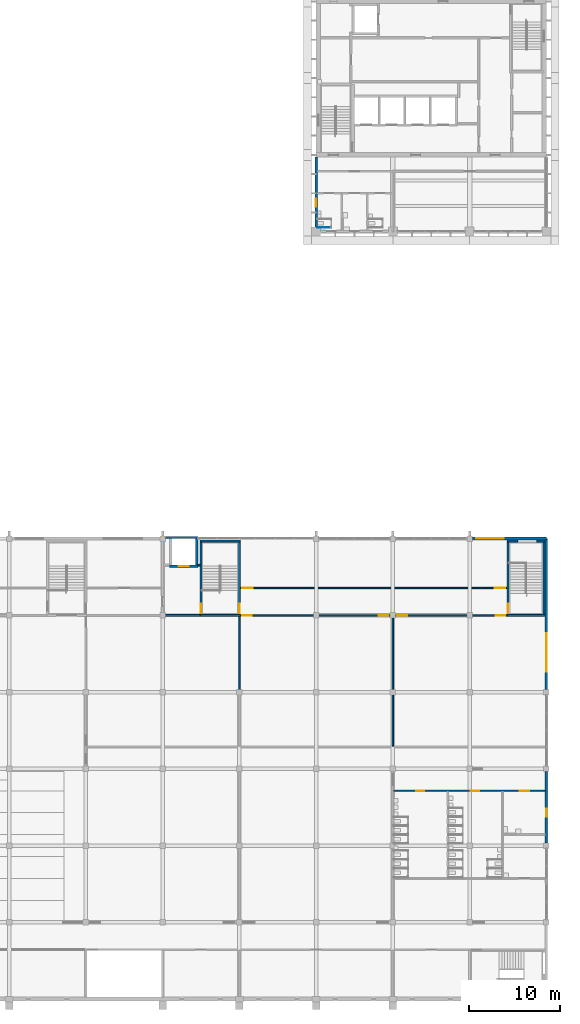
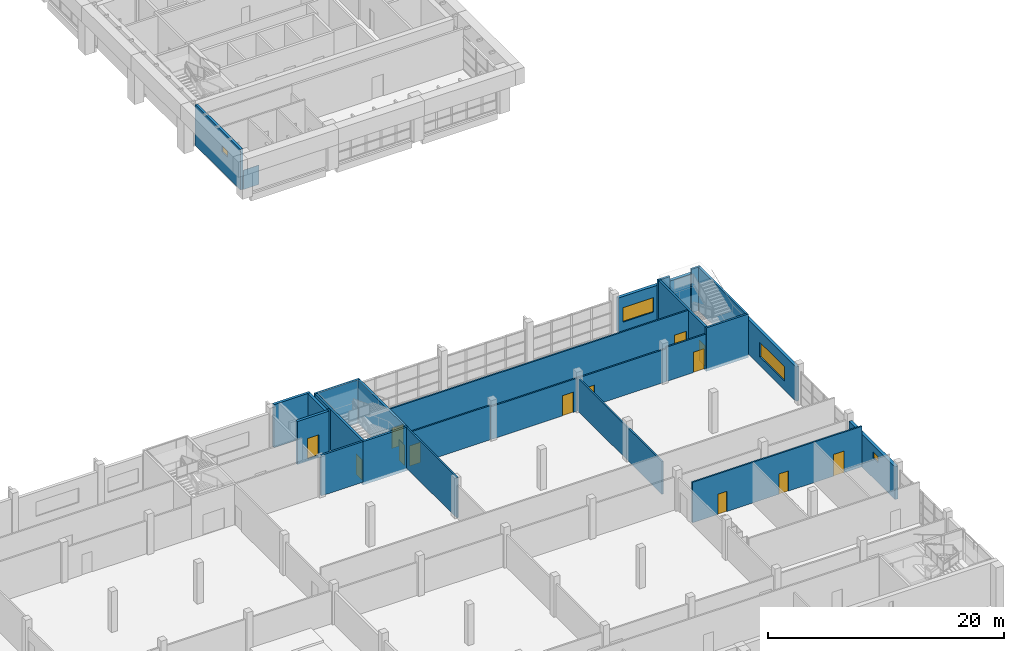
# One storey, part 28 of 56: 26 walls, 13 doors, 4 windows, 17 openings.
"""IFC4 building model written with IfcOpenShell, lengths in metres."""

from ifc_helpers import new_model, si_unit, direction, frame, frame_2d, origin, place, context, subcontext, project, spatial, rectangle, extrude, material, layer, layer_set, type_object, element, fill, save


model = new_model("IFC4")

# Units and contexts
model_context = context("Model", 3, precision=1e-05, world=origin(), true_north=direction((0.0, 1.0)))
body_context = subcontext(model_context, "Body", "Model", "MODEL_VIEW")
ifc_project = project(units=[si_unit("LENGTHUNIT", "METRE"), si_unit("AREAUNIT", "SQUARE_METRE"), si_unit("VOLUMEUNIT", "CUBIC_METRE"), si_unit("PLANEANGLEUNIT", "RADIAN"), si_unit("MASSUNIT", "GRAM", prefix="KILO")], contexts=[model_context])

# Site, building, storey
site_placement = place(None, origin())
site = spatial("IfcSite", under=ifc_project, at=site_placement, CompositionType="ELEMENT")
building_placement = place(site_placement, origin())
building = spatial("IfcBuilding", under=site, at=building_placement, Name="Rulbaag Community and Learning Centre", CompositionType="ELEMENT")
storey_placement = place(building_placement, frame((0.0, 0.0, 9.89990234375)))
storey = spatial("IfcBuildingStorey", under=building, at=storey_placement, Name="L02", CompositionType="ELEMENT", Elevation=9.89990234375)

# Wall
ifc_material_1 = material(Name="High pressure laminate", Category="wood")
ifc_layer_1 = layer(ifc_material_1, 0.0400390625)
ifc_layer_set_1 = layer_set([ifc_layer_1], Name="CP-40")
wall_type_1 = type_object("IfcWallType", Name="CP-40", PredefinedType="PARTITIONING", material=ifc_layer_set_1)
wall_1_placement = place(storey_placement, frame((142.929931640625, 84.449951171875, 0.0), z_axis=(0.0, 0.0, 1.0), x_axis=(1.0, 0.0, 0.0)))
element("IfcWall", 1, at=wall_1_placement, inside=storey, type_object=wall_type_1, Name="Cubicle partition", PredefinedType="PARTITIONING", context=body_context, shape_type="SweptSolid", body=[
    extrude(rectangle(XDim=1.5400390625, YDim=0.0400390625, at=frame_2d((0.77001953125, 0.0))), origin(), (0.0, 0.0, 1.0), 2.0),
])

# Wall, opening, window
ifc_material_2 = material(Name="Concrete M40", Category="concrete")
ifc_layer_2 = layer(ifc_material_2, 0.25)
ifc_layer_set_2 = layer_set([ifc_layer_2], Name="EW-CONC250")
wall_type_2 = type_object("IfcWallType", Name="EW-CONC250", PredefinedType="STANDARD", material=ifc_layer_set_2)
wall_2_placement = place(storey_placement, frame((142.800048828125, 84.5, 0.0), z_axis=(0.0, 0.0, 1.0), x_axis=(0.0, 1.0, 0.0)))
wall_2 = element("IfcWall", 2, at=wall_2_placement, inside=storey, type_object=wall_type_2, Name="Board-marked concrete cladding wall BW", PredefinedType="STANDARD", context=body_context, shape_type="SweptSolid", body=[
    extrude(rectangle(XDim=7.64990234375, YDim=0.25, at=frame_2d((3.824951171875, 0.0))), origin(), (0.0, 0.0, 1.0), 4.2001953125),
])
opening_1_placement = place(wall_2_placement, frame((2.199951171875, 0.0, 2.10009765625)))
opening_1 = element("IfcOpeningElement", 3, at=opening_1_placement, cuts=wall_2, Name="Opening WN5", PredefinedType="OPENING", context=body_context, shape_type="SweptSolid", body=[
    extrude(rectangle(XDim=0.89990234375, YDim=0.60009765625, at=frame_2d((0.449951171875, 0.300048828125))), frame((0.0, 0.135009765625, 0.0), z_axis=(0.0, -1.0, 0.0), x_axis=(1.0, 0.0, 0.0)), (0.0, 0.0, 1.0), 0.27001953125),
])
ifc_material_3 = material(Name="Aluminium", Category="aluminium")
window_type_1 = type_object("IfcWindowType", Name="WK-09", PartitioningType="SINGLE_PANEL", PredefinedType="WINDOW", material=ifc_material_3)
window_1_placement = place(opening_1_placement, origin())
window_1 = element("IfcWindow", 4, at=window_1_placement, inside=storey, type_object=window_type_1, Name="Window WN5", OverallHeight=0.60009765625, OverallWidth=0.89990234375, PartitioningType="SINGLE_PANEL", PredefinedType="WINDOW", context=body_context, shape_type="SweptSolid", body=[
    extrude(rectangle(XDim=0.89990234375, YDim=0.60009765625, at=frame_2d((0.449951171875, 0.300048828125))), frame((0.0, 0.030029296875, 0.0), z_axis=(0.0, -1.0, 0.0), x_axis=(1.0, 0.0, 0.0)), (0.0, 0.0, 1.0), 0.06005859375),
])
fill(opening_1, window_1)

ifc_layer_3 = layer(ifc_material_2, 0.300048828125)
ifc_layer_set_3 = layer_set([ifc_layer_3], Name="EW-CONC300")
wall_type_3 = type_object("IfcWallType", Name="EW-CONC300", PredefinedType="STANDARD", material=ifc_layer_set_3)
wall_3_placement = place(storey_placement, frame((159.89990234375, 50.39990234375, 0.0), z_axis=(0.0, 0.0, 1.0), x_axis=(1.0, 0.0, 0.0)))
wall_3 = element("IfcWall", 5, at=wall_3_placement, inside=storey, type_object=wall_type_3, Name="Board-marked concrete cladding wall AN", PredefinedType="STANDARD", context=body_context, shape_type="SweptSolid", body=[
    extrude(rectangle(XDim=8.10009765625, YDim=0.300048828125, at=frame_2d((4.050048828125, 0.0))), origin(), (0.0, 0.0, 1.0), 3.550048828125),
])
opening_2_placement = place(wall_3_placement, frame((0.449951171875, 0.0, 0.89990234375)))
opening_2 = element("IfcOpeningElement", 6, at=opening_2_placement, cuts=wall_3, Name="Opening WN3", PredefinedType="OPENING", context=body_context, shape_type="SweptSolid", body=[
    extrude(rectangle(XDim=3.0, YDim=1.5, at=frame_2d((1.5, 0.75))), frame((0.0, 0.159912109375, 0.0), z_axis=(0.0, -1.0, 0.0), x_axis=(1.0, 0.0, 0.0)), (0.0, 0.0, 1.0), 0.320068359375),
])
window_type_2 = type_object("IfcWindowType", Name="WN-30", PartitioningType="TRIPLE_PANEL_VERTICAL", PredefinedType="WINDOW", material=ifc_material_3)
window_2_placement = place(opening_2_placement, origin())
window_2 = element("IfcWindow", 7, at=window_2_placement, inside=storey, type_object=window_type_2, Name="Window WN3", OverallHeight=1.5, OverallWidth=3.0, PartitioningType="SINGLE_PANEL", PredefinedType="WINDOW", context=body_context, shape_type="SweptSolid", body=[
    extrude(rectangle(XDim=3.0, YDim=1.5, at=frame_2d((1.5, 0.75))), frame((0.0, 0.030029296875, 0.0), z_axis=(0.0, -1.0, 0.0), x_axis=(1.0, 0.0, 0.0)), (0.0, 0.0, 1.0), 0.06005859375),
])
fill(opening_2, window_2)

wall_4_placement = place(storey_placement, frame((168.0, 17.10009765625, 0.0), z_axis=(0.0, 0.0, 1.0), x_axis=(0.0, 1.0, 0.0)))
wall_4 = element("IfcWall", 8, at=wall_4_placement, inside=storey, type_object=wall_type_3, Name="Board-marked concrete cladding wall AE", PredefinedType="STANDARD", context=body_context, shape_type="SweptSolid", body=[
    extrude(rectangle(XDim=7.7998046875, YDim=0.300048828125, at=frame_2d((3.89990234375, 0.0))), origin(), (0.0, 0.0, 1.0), 3.400146484375),
])
opening_3_placement = place(wall_4_placement, frame((2.85009765625, 0.0, 2.10009765625)))
opening_3 = element("IfcOpeningElement", 9, at=opening_3_placement, cuts=wall_4, Name="Opening WN5", PredefinedType="OPENING", context=body_context, shape_type="SweptSolid", body=[
    extrude(rectangle(XDim=0.89990234375, YDim=0.60009765625, at=frame_2d((0.449951171875, 0.300048828125))), frame((0.0, 0.159912109375, 0.0), z_axis=(0.0, -1.0, 0.0), x_axis=(1.0, 0.0, 0.0)), (0.0, 0.0, 1.0), 0.320068359375),
])
window_3_placement = place(opening_3_placement, origin())
window_3 = element("IfcWindow", 10, at=window_3_placement, inside=storey, type_object=window_type_1, Name="Window WN5", OverallHeight=0.60009765625, OverallWidth=0.89990234375, PartitioningType="SINGLE_PANEL", PredefinedType="WINDOW", context=body_context, shape_type="SweptSolid", body=[
    extrude(rectangle(XDim=0.89990234375, YDim=0.60009765625, at=frame_2d((0.449951171875, 0.300048828125))), frame((0.0, 0.030029296875, 0.0), z_axis=(0.0, -1.0, 0.0), x_axis=(1.0, 0.0, 0.0)), (0.0, 0.0, 1.0), 0.06005859375),
])
fill(opening_3, window_3)

wall_5_placement = place(storey_placement, frame((168.0, 33.89990234375, 0.0), z_axis=(0.0, 0.0, 1.0), x_axis=(0.0, 1.0, 0.0)))
wall_5 = element("IfcWall", 11, at=wall_5_placement, inside=storey, type_object=wall_type_3, Name="Board-marked concrete cladding wall AE", PredefinedType="STANDARD", context=body_context, shape_type="SweptSolid", body=[
    extrude(rectangle(XDim=16.5, YDim=0.300048828125, at=frame_2d((8.25, 0.0))), origin(), (0.0, 0.0, 1.0), 3.550048828125),
])
opening_4_placement = place(wall_5_placement, frame((1.949951171875, 0.0, 0.89990234375)))
opening_4 = element("IfcOpeningElement", 12, at=opening_4_placement, cuts=wall_5, Name="Opening WN4", PredefinedType="OPENING", context=body_context, shape_type="SweptSolid", body=[
    extrude(rectangle(XDim=4.199951171875, YDim=1.5, at=frame_2d((2.10009765625, 0.75))), frame((0.0, 0.159912109375, 0.0), z_axis=(0.0, -1.0, 0.0), x_axis=(1.0, 0.0, 0.0)), (0.0, 0.0, 1.0), 0.320068359375),
])
window_type_3 = type_object("IfcWindowType", Name="WN-42", PartitioningType="TRIPLE_PANEL_VERTICAL", PredefinedType="WINDOW", material=ifc_material_3)
window_4_placement = place(opening_4_placement, origin())
window_4 = element("IfcWindow", 13, at=window_4_placement, inside=storey, type_object=window_type_3, Name="Window WN4", OverallHeight=1.5, OverallWidth=4.199951171875, PartitioningType="SINGLE_PANEL", PredefinedType="WINDOW", context=body_context, shape_type="SweptSolid", body=[
    extrude(rectangle(XDim=4.199951171875, YDim=1.5, at=frame_2d((2.10009765625, 0.75))), frame((0.0, 0.030029296875, 0.0), z_axis=(0.0, -1.0, 0.0), x_axis=(1.0, 0.0, 0.0)), (0.0, 0.0, 1.0), 0.06005859375),
])
fill(opening_4, window_4)

# Walls
ifc_material_4 = material(Name="Concrete blockwork", Category="masonry")
ifc_layer_4 = layer(ifc_material_4, 0.199951171875)
ifc_layer_set_4 = layer_set([ifc_layer_4], Name="FW-200 FIRE WALL 200")
wall_type_4 = type_object("IfcWallType", Name="FW-200 FIRE WALL 200", PredefinedType="SOLIDWALL", material=ifc_layer_set_4)
wall_6_placement = place(storey_placement, frame((126.0, 42.0, 0.0), z_axis=(0.0, 0.0, 1.0), x_axis=(1.0, 0.0, 0.0)))
element("IfcWall", 14, at=wall_6_placement, inside=storey, type_object=wall_type_4, Name="Fire wall L02 28", PredefinedType="SOLIDWALL", context=body_context, shape_type="SweptSolid", body=[
    extrude(rectangle(XDim=4.10009765625, YDim=0.199951171875, at=frame_2d((2.050048828125, 0.0))), origin(), (0.0, 0.0, 1.0), 4.2001953125),
])
wall_7_placement = place(storey_placement, frame((129.85009765625, 47.5, 0.0), z_axis=(0.0, 0.0, 1.0), x_axis=(1.0, 0.0, 0.0)))
element("IfcWall", 15, at=wall_7_placement, inside=storey, type_object=wall_type_4, Name="Fire wall L02 37", PredefinedType="SOLIDWALL", context=body_context, shape_type="SweptSolid", body=[
    extrude(rectangle(XDim=0.25, YDim=0.199951171875, at=frame_2d((0.125, 0.0))), origin(), (0.0, 0.0, 1.0), 4.2001953125),
])

# Wall, openings, doors
ifc_layer_5 = layer(ifc_material_4, 0.14990234375)
ifc_layer_set_5 = layer_set([ifc_layer_5], Name="IP-150 PARTITION 150")
wall_type_5 = type_object("IfcWallType", Name="IP-150 PARTITION 150", PredefinedType="PARTITIONING", material=ifc_layer_set_5)
wall_8_placement = place(storey_placement, frame((151.27490234375, 22.800048828125, 0.0), z_axis=(0.0, 0.0, 1.0), x_axis=(1.0, 0.0, 0.0)))
wall_8 = element("IfcWall", 16, at=wall_8_placement, inside=storey, type_object=wall_type_5, Name="Partition L02 16", PredefinedType="PARTITIONING", context=body_context, shape_type="SweptSolid", body=[
    extrude(rectangle(XDim=16.5751953125, YDim=0.14990234375, at=frame_2d((8.28759765625, 0.0))), origin(), (0.0, 0.0, 1.0), 4.2001953125),
])
opening_5_placement = place(wall_8_placement, frame((2.47509765625, 0.0, 0.0)))
opening_5 = element("IfcOpeningElement", 17, at=opening_5_placement, cuts=wall_8, Name="Opening L02-D105", PredefinedType="OPENING", context=body_context, shape_type="SweptSolid", body=[
    extrude(rectangle(XDim=0.89990234375, YDim=2.10009765625, at=frame_2d((0.449951171875, 1.050048828125))), frame((0.0, 0.0849609375, 0.0), z_axis=(0.0, -1.0, 0.0), x_axis=(1.0, 0.0, 0.0)), (0.0, 0.0, 1.0), 0.169921875),
])
opening_6_placement = place(wall_8_placement, frame((8.47509765625, 0.0, 0.0)))
opening_6 = element("IfcOpeningElement", 18, at=opening_6_placement, cuts=wall_8, Name="Opening L02-D119", PredefinedType="OPENING", context=body_context, shape_type="SweptSolid", body=[
    extrude(rectangle(XDim=0.89990234375, YDim=2.10009765625, at=frame_2d((0.449951171875, 1.050048828125))), frame((0.0, 0.0849609375, 0.0), z_axis=(0.0, -1.0, 0.0), x_axis=(1.0, 0.0, 0.0)), (0.0, 0.0, 1.0), 0.169921875),
])
opening_7_placement = place(wall_8_placement, frame((13.800048828125, 0.0, 0.0)))
opening_7 = element("IfcOpeningElement", 19, at=opening_7_placement, cuts=wall_8, Name="Opening L02-D137", PredefinedType="OPENING", context=body_context, shape_type="SweptSolid", body=[
    extrude(rectangle(XDim=1.050048828125, YDim=2.25, at=frame_2d((0.52490234375, 1.125))), frame((0.0, 0.0849609375, 0.0), z_axis=(0.0, -1.0, 0.0), x_axis=(1.0, 0.0, 0.0)), (0.0, 0.0, 1.0), 0.169921875),
])
ifc_material_5 = material(Name="Timber", Category="wood")
door_type_1 = type_object("IfcDoorType", Name="D-1050 ACCESSIBLE TOILET DOOR 1050 x 2250", OperationType="SINGLE_SWING_LEFT", PredefinedType="DOOR", material=ifc_material_5)
door_1_placement = place(opening_7_placement, origin())
door_1 = element("IfcDoor", 20, at=door_1_placement, inside=storey, type_object=door_type_1, Name="Door L02-D137", OperationType="SINGLE_SWING_RIGHT", OverallHeight=2.25, OverallWidth=1.050048828125, PredefinedType="DOOR", context=body_context, shape_type="SweptSolid", body=[
    extrude(rectangle(XDim=1.050048828125, YDim=2.25, at=frame_2d((0.52490234375, 1.125))), frame((0.0, 0.02490234375, 0.0), z_axis=(0.0, -1.0, 0.0), x_axis=(1.0, 0.0, 0.0)), (0.0, 0.0, 1.0), 0.050048828125),
])
fill(opening_7, door_1)
door_type_2 = type_object("IfcDoorType", Name="DW-900 TOILET DOOR 900 x 2100", OperationType="SINGLE_SWING_LEFT", PredefinedType="DOOR", material=ifc_material_5)
door_2_placement = place(opening_5_placement, origin())
door_2 = element("IfcDoor", 21, at=door_2_placement, inside=storey, type_object=door_type_2, Name="Door L02-D105", OperationType="SINGLE_SWING_LEFT", OverallHeight=2.10009765625, OverallWidth=0.89990234375, PredefinedType="DOOR", context=body_context, shape_type="SweptSolid", body=[
    extrude(rectangle(XDim=0.89990234375, YDim=2.10009765625, at=frame_2d((0.449951171875, 1.050048828125))), frame((0.0, 0.02490234375, 0.0), z_axis=(0.0, -1.0, 0.0), x_axis=(1.0, 0.0, 0.0)), (0.0, 0.0, 1.0), 0.050048828125),
])
fill(opening_5, door_2)
door_3_placement = place(opening_6_placement, origin())
door_3 = element("IfcDoor", 22, at=door_3_placement, inside=storey, type_object=door_type_2, Name="Door L02-D119", OperationType="SINGLE_SWING_RIGHT", OverallHeight=2.10009765625, OverallWidth=0.89990234375, PredefinedType="DOOR", context=body_context, shape_type="SweptSolid", body=[
    extrude(rectangle(XDim=0.89990234375, YDim=2.10009765625, at=frame_2d((0.449951171875, 1.050048828125))), frame((0.0, 0.02490234375, 0.0), z_axis=(0.0, -1.0, 0.0), x_axis=(1.0, 0.0, 0.0)), (0.0, 0.0, 1.0), 0.050048828125),
])
fill(opening_6, door_3)

# Wall, opening, door
wall_9_placement = place(storey_placement, frame((134.5, 42.0, 0.0), z_axis=(0.0, 0.0, 1.0), x_axis=(1.0, 0.0, 0.0)))
wall_9 = element("IfcWall", 23, at=wall_9_placement, inside=storey, type_object=wall_type_5, Name="Partition L02 29", PredefinedType="PARTITIONING", context=body_context, shape_type="SweptSolid", body=[
    extrude(rectangle(XDim=8.10009765625, YDim=0.14990234375, at=frame_2d((4.050048828125, 0.0))), origin(), (0.0, 0.0, 1.0), 3.550048828125),
])
opening_8_placement = place(wall_9_placement, frame((0.199951171875, 0.0, 0.0)))
opening_8 = element("IfcOpeningElement", 24, at=opening_8_placement, cuts=wall_9, Name="Opening L02-D075", PredefinedType="OPENING", context=body_context, shape_type="SweptSolid", body=[
    extrude(rectangle(XDim=1.050048828125, YDim=2.10009765625, at=frame_2d((0.52490234375, 1.050048828125))), frame((0.0, 0.0849609375, 0.0), z_axis=(0.0, -1.0, 0.0), x_axis=(1.0, 0.0, 0.0)), (0.0, 0.0, 1.0), 0.169921875),
])
door_type_3 = type_object("IfcDoorType", Name="D-1050 GLAZED MEETING ROOM DOOR 1050 x 2100", OperationType="SINGLE_SWING_LEFT", PredefinedType="DOOR", material=ifc_material_5)
door_4_placement = place(opening_8_placement, origin())
door_4 = element("IfcDoor", 25, at=door_4_placement, inside=storey, type_object=door_type_3, Name="Door L02-D075", OperationType="SINGLE_SWING_RIGHT", OverallHeight=2.10009765625, OverallWidth=1.050048828125, PredefinedType="DOOR", context=body_context, shape_type="SweptSolid", body=[
    extrude(rectangle(XDim=1.050048828125, YDim=2.10009765625, at=frame_2d((0.52490234375, 1.050048828125))), frame((0.0, 0.02490234375, 0.0), z_axis=(0.0, -1.0, 0.0), x_axis=(1.0, 0.0, 0.0)), (0.0, 0.0, 1.0), 0.050048828125),
])
fill(opening_8, door_4)

# Wall, openings, doors
wall_10_placement = place(storey_placement, frame((142.60009765625, 42.0, 0.0), z_axis=(0.0, 0.0, 1.0), x_axis=(1.0, 0.0, 0.0)))
wall_10 = element("IfcWall", 26, at=wall_10_placement, inside=storey, type_object=wall_type_5, Name="Partition L02 29.2", PredefinedType="PARTITIONING", context=body_context, shape_type="SweptSolid", body=[
    extrude(rectangle(XDim=17.199951171875, YDim=0.14990234375, at=frame_2d((8.60009765625, 0.0))), origin(), (0.0, 0.0, 1.0), 3.400146484375),
])
opening_9_placement = place(wall_10_placement, frame((7.050048828125, 0.0, 0.0)))
opening_9 = element("IfcOpeningElement", 27, at=opening_9_placement, cuts=wall_10, Name="Opening L02-D093", PredefinedType="OPENING", context=body_context, shape_type="SweptSolid", body=[
    extrude(rectangle(XDim=1.050048828125, YDim=2.10009765625, at=frame_2d((0.52490234375, 1.050048828125))), frame((0.0, 0.0849609375, 0.0), z_axis=(0.0, -1.0, 0.0), x_axis=(1.0, 0.0, 0.0)), (0.0, 0.0, 1.0), 0.169921875),
])
opening_10_placement = place(wall_10_placement, frame((9.10009765625, 0.0, 0.0)))
opening_10 = element("IfcOpeningElement", 28, at=opening_10_placement, cuts=wall_10, Name="Opening L02-D096", PredefinedType="OPENING", context=body_context, shape_type="SweptSolid", body=[
    extrude(rectangle(XDim=1.050048828125, YDim=2.10009765625, at=frame_2d((0.52490234375, 1.050048828125))), frame((0.0, 0.0849609375, 0.0), z_axis=(0.0, -1.0, 0.0), x_axis=(1.0, 0.0, 0.0)), (0.0, 0.0, 1.0), 0.169921875),
])
door_5_placement = place(opening_9_placement, origin())
door_5 = element("IfcDoor", 29, at=door_5_placement, inside=storey, type_object=door_type_3, Name="Door L02-D093", OperationType="SINGLE_SWING_LEFT", OverallHeight=2.10009765625, OverallWidth=1.050048828125, PredefinedType="DOOR", context=body_context, shape_type="SweptSolid", body=[
    extrude(rectangle(XDim=1.050048828125, YDim=2.10009765625, at=frame_2d((0.52490234375, 1.050048828125))), frame((0.0, 0.02490234375, 0.0), z_axis=(0.0, -1.0, 0.0), x_axis=(1.0, 0.0, 0.0)), (0.0, 0.0, 1.0), 0.050048828125),
])
fill(opening_9, door_5)
door_6_placement = place(opening_10_placement, origin())
door_6 = element("IfcDoor", 30, at=door_6_placement, inside=storey, type_object=door_type_3, Name="Door L02-D096", OperationType="SINGLE_SWING_LEFT", OverallHeight=2.10009765625, OverallWidth=1.050048828125, PredefinedType="DOOR", context=body_context, shape_type="SweptSolid", body=[
    extrude(rectangle(XDim=1.050048828125, YDim=2.10009765625, at=frame_2d((0.52490234375, 1.050048828125))), frame((0.0, 0.02490234375, 0.0), z_axis=(0.0, -1.0, 0.0), x_axis=(1.0, 0.0, 0.0)), (0.0, 0.0, 1.0), 0.050048828125),
])
fill(opening_10, door_6)

# Wall, opening, door
wall_11_placement = place(storey_placement, frame((159.800048828125, 42.0, 0.0), z_axis=(0.0, 0.0, 1.0), x_axis=(1.0, 0.0, 0.0)))
wall_11 = element("IfcWall", 31, at=wall_11_placement, inside=storey, type_object=wall_type_5, Name="Partition L02 29.3", PredefinedType="PARTITIONING", context=body_context, shape_type="SweptSolid", body=[
    extrude(rectangle(XDim=3.89990234375, YDim=0.14990234375, at=frame_2d((1.949951171875, 0.0))), origin(), (0.0, 0.0, 1.0), 3.550048828125),
])
opening_11_placement = place(wall_11_placement, frame((2.64990234375, 0.0, 0.0)))
opening_11 = element("IfcOpeningElement", 32, at=opening_11_placement, cuts=wall_11, Name="Opening L02-D130", PredefinedType="OPENING", context=body_context, shape_type="SweptSolid", body=[
    extrude(rectangle(XDim=1.050048828125, YDim=2.10009765625, at=frame_2d((0.52490234375, 1.050048828125))), frame((0.0, 0.0849609375, 0.0), z_axis=(0.0, -1.0, 0.0), x_axis=(1.0, 0.0, 0.0)), (0.0, 0.0, 1.0), 0.169921875),
])
door_7_placement = place(opening_11_placement, origin())
door_7 = element("IfcDoor", 33, at=door_7_placement, inside=storey, type_object=door_type_3, Name="Door L02-D130", OperationType="SINGLE_SWING_LEFT", OverallHeight=2.10009765625, OverallWidth=1.050048828125, PredefinedType="DOOR", context=body_context, shape_type="SweptSolid", body=[
    extrude(rectangle(XDim=1.050048828125, YDim=2.10009765625, at=frame_2d((0.52490234375, 1.050048828125))), frame((0.0, 0.02490234375, 0.0), z_axis=(0.0, -1.0, 0.0), x_axis=(1.0, 0.0, 0.0)), (0.0, 0.0, 1.0), 0.050048828125),
])
fill(opening_11, door_7)

# Wall, openings, doors
wall_12_placement = place(storey_placement, frame((134.5, 45.0, 0.0), z_axis=(0.0, 0.0, 1.0), x_axis=(1.0, 0.0, 0.0)))
wall_12 = element("IfcWall", 34, at=wall_12_placement, inside=storey, type_object=wall_type_5, Name="Partition L02 35", PredefinedType="PARTITIONING", context=body_context, shape_type="SweptSolid", body=[
    extrude(rectangle(XDim=29.199951171875, YDim=0.14990234375, at=frame_2d((14.60009765625, 0.0))), origin(), (0.0, 0.0, 1.0), 4.2001953125),
])
opening_12_placement = place(wall_12_placement, frame((0.199951171875, 0.0, 0.0)))
opening_12 = element("IfcOpeningElement", 35, at=opening_12_placement, cuts=wall_12, Name="Opening L02-D076", PredefinedType="OPENING", context=body_context, shape_type="SweptSolid", body=[
    extrude(rectangle(XDim=1.14990234375, YDim=2.10009765625, at=frame_2d((0.574951171875, 1.050048828125))), frame((0.0, 0.0849609375, 0.0), z_axis=(0.0, -1.0, 0.0), x_axis=(1.0, 0.0, 0.0)), (0.0, 0.0, 1.0), 0.169921875),
])
opening_13_placement = place(wall_12_placement, frame((27.85009765625, 0.0, 0.0)))
opening_13 = element("IfcOpeningElement", 36, at=opening_13_placement, cuts=wall_12, Name="Opening L02-D129", PredefinedType="OPENING", context=body_context, shape_type="SweptSolid", body=[
    extrude(rectangle(XDim=1.14990234375, YDim=2.10009765625, at=frame_2d((0.574951171875, 1.050048828125))), frame((0.0, 0.0849609375, 0.0), z_axis=(0.0, -1.0, 0.0), x_axis=(1.0, 0.0, 0.0)), (0.0, 0.0, 1.0), 0.169921875),
])
door_type_4 = type_object("IfcDoorType", Name="D-1150 YOUTH ROOM DOOR 1150 x 2100", OperationType="SINGLE_SWING_LEFT", PredefinedType="DOOR", material=ifc_material_5)
door_8_placement = place(opening_12_placement, origin())
door_8 = element("IfcDoor", 37, at=door_8_placement, inside=storey, type_object=door_type_4, Name="Door L02-D076", OperationType="SINGLE_SWING_LEFT", OverallHeight=2.10009765625, OverallWidth=1.14990234375, PredefinedType="DOOR", context=body_context, shape_type="SweptSolid", body=[
    extrude(rectangle(XDim=1.14990234375, YDim=2.10009765625, at=frame_2d((0.574951171875, 1.050048828125))), frame((0.0, 0.02490234375, 0.0), z_axis=(0.0, -1.0, 0.0), x_axis=(1.0, 0.0, 0.0)), (0.0, 0.0, 1.0), 0.050048828125),
])
fill(opening_12, door_8)
door_9_placement = place(opening_13_placement, origin())
door_9 = element("IfcDoor", 38, at=door_9_placement, inside=storey, type_object=door_type_4, Name="Door L02-D129", OperationType="SINGLE_SWING_RIGHT", OverallHeight=2.10009765625, OverallWidth=1.14990234375, PredefinedType="DOOR", context=body_context, shape_type="SweptSolid", body=[
    extrude(rectangle(XDim=1.14990234375, YDim=2.10009765625, at=frame_2d((0.574951171875, 1.050048828125))), frame((0.0, 0.02490234375, 0.0), z_axis=(0.0, -1.0, 0.0), x_axis=(1.0, 0.0, 0.0)), (0.0, 0.0, 1.0), 0.050048828125),
])
fill(opening_13, door_9)

# Walls
wall_13_placement = place(storey_placement, frame((134.39990234375, 33.320068359375, 0.0), z_axis=(0.0, 0.0, 1.0), x_axis=(0.0, 1.0, 0.0)))
element("IfcWall", 39, at=wall_13_placement, inside=storey, type_object=wall_type_5, Name="Partition L02 70.2", PredefinedType="PARTITIONING", context=body_context, shape_type="SweptSolid", body=[
    extrude(rectangle(XDim=8.780029296875, YDim=0.14990234375, at=frame_2d((4.39013671875, 0.0))), origin(), (0.0, 0.0, 1.0), 4.2001953125),
])
wall_14_placement = place(storey_placement, frame((151.199951171875, 27.675048828125, 0.0), z_axis=(0.0, 0.0, 1.0), x_axis=(0.0, 1.0, 0.0)))
element("IfcWall", 40, at=wall_14_placement, inside=storey, type_object=wall_type_5, Name="Partition L02 79", PredefinedType="PARTITIONING", context=body_context, shape_type="SweptSolid", body=[
    extrude(rectangle(XDim=14.25, YDim=0.14990234375, at=frame_2d((7.125, 0.0))), origin(), (0.0, 0.0, 1.0), 3.400146484375),
])

# Wall, opening, door
ifc_layer_6 = layer(ifc_material_2, 0.25)
ifc_layer_set_6 = layer_set([ifc_layer_6], Name="W8 Lift shaft wall 250 Concrete M40")
wall_type_6 = type_object("IfcWallType", Name="W8 Lift shaft wall 250 Concrete M40", PredefinedType="SHEAR", material=ifc_layer_set_6)
wall_15_placement = place(storey_placement, frame((126.75, 47.375, -0.25), z_axis=(0.0, 0.0, 1.0), x_axis=(1.0, 0.0, 0.0)))
wall_15 = element("IfcWall", 41, at=wall_15_placement, inside=storey, type_object=wall_type_6, Name="WL-LH3-S-L02", PredefinedType="SHEAR", context=body_context, shape_type="SweptSolid", body=[
    extrude(rectangle(XDim=3.10009765625, YDim=0.25, at=frame_2d((1.550048828125, 0.0))), origin(), (0.0, 0.0, 1.0), 4.4501953125),
])
opening_14_placement = place(wall_15_placement, frame((1.0, 0.0, 0.25)))
opening_14 = element("IfcOpeningElement", 42, at=opening_14_placement, cuts=wall_15, Name="Opening L02-D070", PredefinedType="OPENING", context=body_context, shape_type="SweptSolid", body=[
    extrude(rectangle(XDim=1.10009765625, YDim=2.10009765625, at=frame_2d((0.550048828125, 1.050048828125))), frame((0.0, 0.135009765625, 0.0), z_axis=(0.0, -1.0, 0.0), x_axis=(1.0, 0.0, 0.0)), (0.0, 0.0, 1.0), 0.27001953125),
])
ifc_material_6 = material(Name="Stainless steel grade 304", Category="steel")
door_type_5 = type_object("IfcDoorType", Name="LD-1100 LIFT LANDING DOOR 1100 x 2100", OperationType="SLIDING_TO_LEFT", PredefinedType="DOOR", material=ifc_material_6)
door_10_placement = place(opening_14_placement, origin())
door_10 = element("IfcDoor", 43, at=door_10_placement, inside=storey, type_object=door_type_5, Name="Lift landing door LH3 L02", OperationType="SLIDING_TO_LEFT", OverallHeight=2.10009765625, OverallWidth=1.10009765625, PredefinedType="DOOR", context=body_context, shape_type="SweptSolid", body=[
    extrude(rectangle(XDim=1.10009765625, YDim=2.10009765625, at=frame_2d((0.550048828125, 1.050048828125))), frame((0.0, 0.02490234375, 0.0), z_axis=(0.0, -1.0, 0.0), x_axis=(1.0, 0.0, 0.0)), (0.0, 0.0, 1.0), 0.050048828125),
])
fill(opening_14, door_10)

# Walls
wall_16_placement = place(storey_placement, frame((126.300048828125, 50.52490234375, -0.25), z_axis=(0.0, 0.0, 1.0), x_axis=(1.0, 0.0, 0.0)))
element("IfcWall", 44, at=wall_16_placement, inside=storey, type_object=wall_type_6, Name="WL-LH3-N-L02", PredefinedType="SHEAR", context=body_context, shape_type="SweptSolid", body=[
    extrude(rectangle(XDim=3.550048828125, YDim=0.25, at=frame_2d((1.77490234375, 0.0))), origin(), (0.0, 0.0, 1.0), 4.4501953125),
])
wall_17_placement = place(storey_placement, frame((129.72509765625, 47.5, -0.25), z_axis=(0.0, 0.0, 1.0), x_axis=(0.0, 1.0, 0.0)))
element("IfcWall", 45, at=wall_17_placement, inside=storey, type_object=wall_type_6, Name="WL-LH3-E-L02", PredefinedType="SHEAR", context=body_context, shape_type="SweptSolid", body=[
    extrude(rectangle(XDim=2.89990234375, YDim=0.25, at=frame_2d((1.449951171875, 0.0))), origin(), (0.0, 0.0, 1.0), 4.4501953125),
])
ifc_layer_7 = layer(ifc_material_2, 0.199951171875)
ifc_layer_set_7 = layer_set([ifc_layer_7], Name="WSE Stair enclosure wall 200 Concrete M40")
wall_type_7 = type_object("IfcWallType", Name="WSE Stair enclosure wall 200 Concrete M40", PredefinedType="SHEAR", material=ifc_layer_set_7)
for number, where, z_axis, x_axis, name in (
    (46, (130.10009765625, 42.0, -0.2998046875), (0.0, 0.0, 1.0), (1.0, 0.0, 0.0), "Stair enclosure wall SH3 S L02"),
    (47, (130.10009765625, 50.125, -0.2998046875), (0.0, 0.0, 1.0), (1.0, 0.0, 0.0), "Stair enclosure wall SH3 N L02"),
):
    element("IfcWall", number, at=place(storey_placement, frame(where, z_axis=z_axis, x_axis=x_axis)), inside=storey, type_object=wall_type_7, Name=name, PredefinedType="SHEAR", context=body_context, shape_type="SweptSolid", body=[
        extrude(rectangle(XDim=4.39990234375, YDim=0.199951171875, at=frame_2d((2.199951171875, 0.0))), origin(), (0.0, 0.0, 1.0), 4.5),
    ])

# Wall, opening, door
wall_18_placement = place(storey_placement, frame((130.199951171875, 42.10009765625, -0.2998046875), z_axis=(0.0, 0.0, 1.0), x_axis=(0.0, 1.0, 0.0)))
wall_18 = element("IfcWall", 48, at=wall_18_placement, inside=storey, type_object=wall_type_7, Name="Stair enclosure wall SH3 W L02", PredefinedType="SHEAR", context=body_context, shape_type="SweptSolid", body=[
    extrude(rectangle(XDim=7.9248046875, YDim=0.199951171875, at=frame_2d((3.96240234375, 0.0))), origin(), (0.0, 0.0, 1.0), 4.5),
])
opening_15_placement = place(wall_18_placement, frame((0.14990234375, 0.0, 0.300048828125)))
opening_15 = element("IfcOpeningElement", 49, at=opening_15_placement, cuts=wall_18, Name="Opening L02-D072", PredefinedType="OPENING", context=body_context, shape_type="SweptSolid", body=[
    extrude(rectangle(XDim=1.0, YDim=2.10009765625, at=frame_2d((0.5, 1.050048828125))), frame((0.0, 0.10986328125, 0.0), z_axis=(0.0, -1.0, 0.0), x_axis=(1.0, 0.0, 0.0)), (0.0, 0.0, 1.0), 0.219970703125),
])
ifc_material_7 = material(Name="Galvanised steel", Category="steel")
door_type_6 = type_object("IfcDoorType", Name="FD-1000 FIRE DOOR 1000 x 2100", OperationType="SINGLE_SWING_LEFT", PredefinedType="DOOR", material=ifc_material_7)
door_11_placement = place(opening_15_placement, origin())
door_11 = element("IfcDoor", 50, at=door_11_placement, inside=storey, type_object=door_type_6, Name="Door L02-D072", OperationType="SINGLE_SWING_LEFT", OverallHeight=2.10009765625, OverallWidth=1.0, PredefinedType="DOOR", context=body_context, shape_type="SweptSolid", body=[
    extrude(rectangle(XDim=1.0, YDim=2.10009765625, at=frame_2d((0.5, 1.050048828125))), frame((0.0, 0.02490234375, 0.0), z_axis=(0.0, -1.0, 0.0), x_axis=(1.0, 0.0, 0.0)), (0.0, 0.0, 1.0), 0.050048828125),
])
fill(opening_15, door_11)

wall_19_placement = place(storey_placement, frame((134.39990234375, 42.10009765625, -0.2998046875), z_axis=(0.0, 0.0, 1.0), x_axis=(0.0, 1.0, 0.0)))
wall_19 = element("IfcWall", 51, at=wall_19_placement, inside=storey, type_object=wall_type_7, Name="Stair enclosure wall SH3 E L02", PredefinedType="SHEAR", context=body_context, shape_type="SweptSolid", body=[
    extrude(rectangle(XDim=7.9248046875, YDim=0.199951171875, at=frame_2d((3.96240234375, 0.0))), origin(), (0.0, 0.0, 1.0), 4.5),
])
opening_16_placement = place(wall_19_placement, frame((0.14990234375, 0.0, 0.300048828125)))
opening_16 = element("IfcOpeningElement", 52, at=opening_16_placement, cuts=wall_19, Name="Opening L02-D074", PredefinedType="OPENING", context=body_context, shape_type="SweptSolid", body=[
    extrude(rectangle(XDim=1.0, YDim=2.10009765625, at=frame_2d((0.5, 1.050048828125))), frame((0.0, 0.10986328125, 0.0), z_axis=(0.0, -1.0, 0.0), x_axis=(1.0, 0.0, 0.0)), (0.0, 0.0, 1.0), 0.219970703125),
])
door_12_placement = place(opening_16_placement, origin())
door_12 = element("IfcDoor", 53, at=door_12_placement, inside=storey, type_object=door_type_6, Name="Door L02-D074", OperationType="SINGLE_SWING_RIGHT", OverallHeight=2.10009765625, OverallWidth=1.0, PredefinedType="DOOR", context=body_context, shape_type="SweptSolid", body=[
    extrude(rectangle(XDim=1.0, YDim=2.10009765625, at=frame_2d((0.5, 1.050048828125))), frame((0.0, 0.02490234375, 0.0), z_axis=(0.0, -1.0, 0.0), x_axis=(1.0, 0.0, 0.0)), (0.0, 0.0, 1.0), 0.050048828125),
])
fill(opening_16, door_12)

# Walls
wall_20_placement = place(storey_placement, frame((163.699951171875, 42.0, -0.2998046875), z_axis=(0.0, 0.0, 1.0), x_axis=(1.0, 0.0, 0.0)))
element("IfcWall", 54, at=wall_20_placement, inside=storey, type_object=wall_type_7, Name="Stair enclosure wall SH4 S L02", PredefinedType="SHEAR", context=body_context, shape_type="SweptSolid", body=[
    extrude(rectangle(XDim=4.125, YDim=0.199951171875, at=frame_2d((2.0625, 0.0))), origin(), (0.0, 0.0, 1.0), 4.5),
])
wall_21_placement = place(storey_placement, frame((163.699951171875, 50.125, -0.2998046875), z_axis=(0.0, 0.0, 1.0), x_axis=(1.0, 0.0, 0.0)))
element("IfcWall", 55, at=wall_21_placement, inside=storey, type_object=wall_type_7, Name="Stair enclosure wall SH4 N L02", PredefinedType="SHEAR", context=body_context, shape_type="SweptSolid", body=[
    extrude(rectangle(XDim=1.150146484375, YDim=0.199951171875, at=frame_2d((0.5751953125, 0.0))), origin(), (0.0, 0.0, 1.0), 4.5),
])
wall_22_placement = place(storey_placement, frame((166.949951171875, 50.125, -0.2998046875), z_axis=(0.0, 0.0, 1.0), x_axis=(1.0, 0.0, 0.0)))
element("IfcWall", 56, at=wall_22_placement, inside=storey, type_object=wall_type_7, Name="Stair enclosure wall SH4 N L02", PredefinedType="SHEAR", context=body_context, shape_type="SweptSolid", body=[
    extrude(rectangle(XDim=0.875, YDim=0.199951171875, at=frame_2d((0.4375, 0.0))), origin(), (0.0, 0.0, 1.0), 4.5),
])

# Wall, opening, door
wall_23_placement = place(storey_placement, frame((163.800048828125, 42.10009765625, -0.2998046875), z_axis=(0.0, 0.0, 1.0), x_axis=(0.0, 1.0, 0.0)))
wall_23 = element("IfcWall", 57, at=wall_23_placement, inside=storey, type_object=wall_type_7, Name="Stair enclosure wall SH4 W L02", PredefinedType="SHEAR", context=body_context, shape_type="SweptSolid", body=[
    extrude(rectangle(XDim=7.9248046875, YDim=0.199951171875, at=frame_2d((3.96240234375, 0.0))), origin(), (0.0, 0.0, 1.0), 4.5),
])
opening_17_placement = place(wall_23_placement, frame((0.14990234375, 0.0, 0.300048828125)))
opening_17 = element("IfcOpeningElement", 58, at=opening_17_placement, cuts=wall_23, Name="Opening L02-D131", PredefinedType="OPENING", context=body_context, shape_type="SweptSolid", body=[
    extrude(rectangle(XDim=1.0, YDim=2.10009765625, at=frame_2d((0.5, 1.050048828125))), frame((0.0, 0.10986328125, 0.0), z_axis=(0.0, -1.0, 0.0), x_axis=(1.0, 0.0, 0.0)), (0.0, 0.0, 1.0), 0.219970703125),
])
door_13_placement = place(opening_17_placement, origin())
door_13 = element("IfcDoor", 59, at=door_13_placement, inside=storey, type_object=door_type_6, Name="Door L02-D131", OperationType="SINGLE_SWING_LEFT", OverallHeight=2.10009765625, OverallWidth=1.0, PredefinedType="DOOR", context=body_context, shape_type="SweptSolid", body=[
    extrude(rectangle(XDim=1.0, YDim=2.10009765625, at=frame_2d((0.5, 1.050048828125))), frame((0.0, 0.02490234375, 0.0), z_axis=(0.0, -1.0, 0.0), x_axis=(1.0, 0.0, 0.0)), (0.0, 0.0, 1.0), 0.050048828125),
])
fill(opening_17, door_13)

# Wall
wall_24_placement = place(storey_placement, frame((167.72509765625, 42.10009765625, -0.2998046875), z_axis=(0.0, 0.0, 1.0), x_axis=(0.0, 1.0, 0.0)))
element("IfcWall", 60, at=wall_24_placement, inside=storey, type_object=wall_type_7, Name="Stair enclosure wall SH4 E L02", PredefinedType="SHEAR", context=body_context, shape_type="SweptSolid", body=[
    extrude(rectangle(XDim=7.9248046875, YDim=0.199951171875, at=frame_2d((3.96240234375, 0.0))), origin(), (0.0, 0.0, 1.0), 4.5),
])

save(model, "model.ifc")
